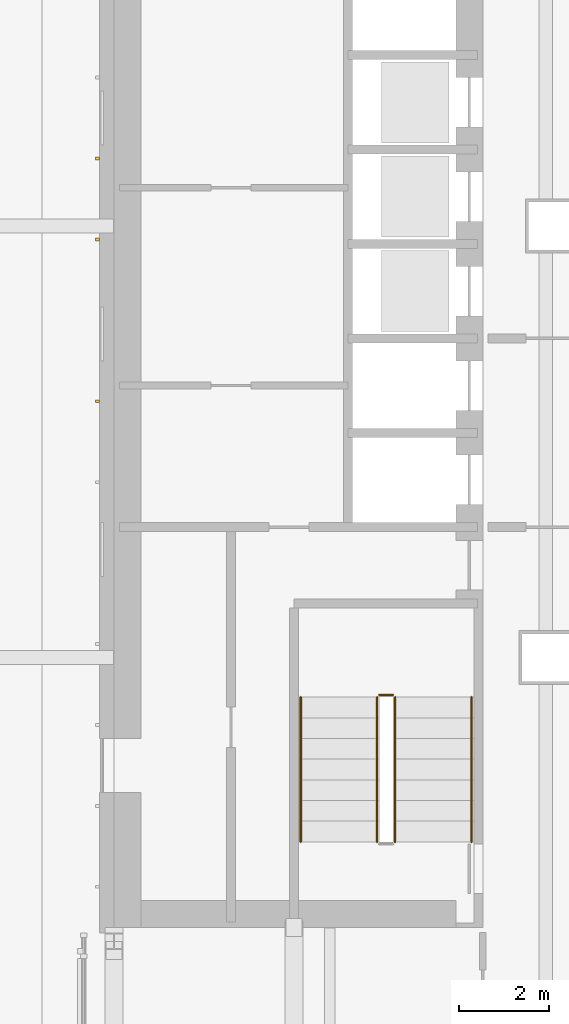
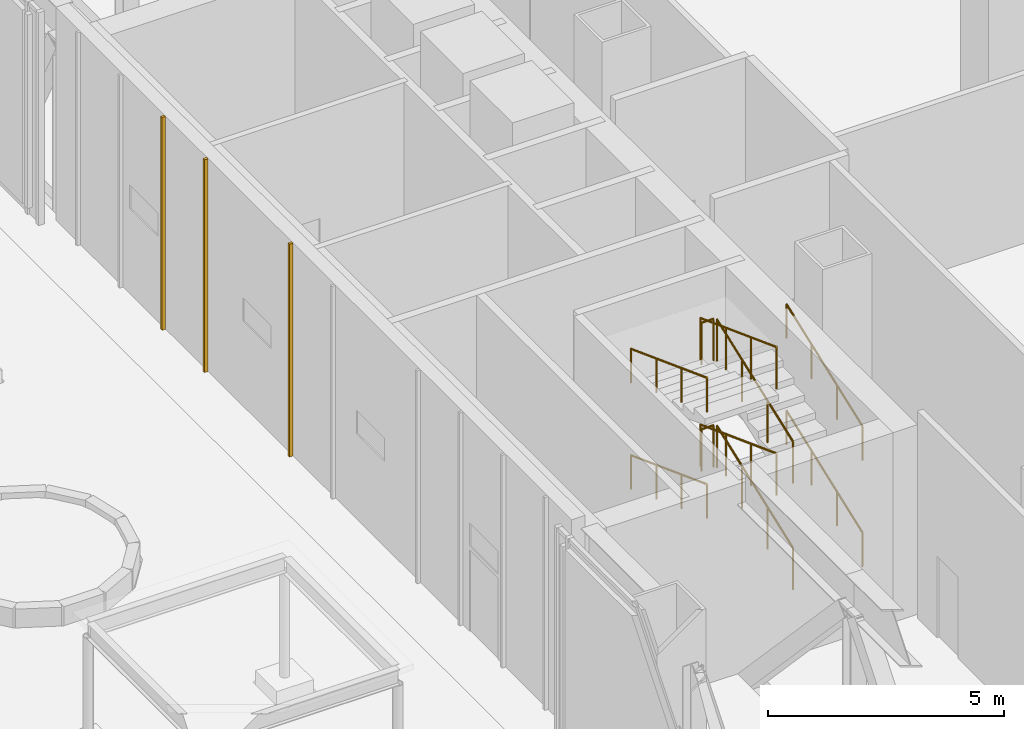
# One storey, part 32 of 39: 10 railings, 3 coverings.
"""IFC4 building model written with IfcOpenShell, lengths in metres."""

import ifcopenshell
import ifcopenshell.guid

model = None  # the IFC model being written
_history = None  # IfcOwnerHistory: only IFC2X3 demands one
_inside = {}  # id of a spatial element -> (the spatial element, [elements in it])
_under = {}  # id of a project, library or spatial element -> (it, [spatial elements below it])
_declared = {}  # id of a project -> (the project, [libraries it declares])
_typed = {}  # id of a type object -> (the type object, [elements of that type])
_made_of = {}  # id of a material, layer set ... -> (it, [elements and type objects made of it])


def new_model(schema):
    """Start an empty IFC model of exactly this schema.

    Asked for "IFC4X3", IfcOpenShell would pick the latest addendum, in which some entities
    have other attributes; the version numbers below select the first issue.
    IFC2X3 requires an IfcOwnerHistory on every rooted entity: one is made here for all.
    """
    global model, _history
    if schema == "IFC4X3":
        model = ifcopenshell.file(schema_version=(4, 3, 0, 0))
    else:
        model = ifcopenshell.file(schema=schema)
    _inside.clear()
    _under.clear()
    _declared.clear()
    _typed.clear()
    _made_of.clear()
    _history = None
    if model.schema == "IFC2X3":
        org = make("IfcOrganization", Name="unknown")
        user = make(
            "IfcPersonAndOrganization",
            ThePerson=make("IfcPerson", FamilyName="unknown"),
            TheOrganization=org,
        )
        app = make(
            "IfcApplication",
            ApplicationDeveloper=org,
            Version="unknown",
            ApplicationFullName="unknown",
            ApplicationIdentifier="unknown",
        )
        _history = make(
            "IfcOwnerHistory",
            OwningUser=user,
            OwningApplication=app,
            ChangeAction="ADDED",
            CreationDate=0,
        )
    return model


def make(cls, **values):
    """One entity of the class cls with the attributes given. An attribute that is None is left unset."""
    return model.create_entity(
        cls, **{name: value for name, value in values.items() if value is not None}
    )


def rooted(cls, **values):
    """An entity with a GlobalId (a new one), such as an element, a storey or a relation."""
    return make(cls, GlobalId=ifcopenshell.guid.new(), OwnerHistory=_history, **values)


def si_unit(unit_type, name, prefix=None):
    """IfcSIUnit, for example si_unit("LENGTHUNIT", "METRE", prefix="MILLI")."""
    return make("IfcSIUnit", UnitType=unit_type, Prefix=prefix, Name=name)


def assignment(units):
    """IfcUnitAssignment: the units of a project."""
    return None if units is None else make("IfcUnitAssignment", Units=units)


def point(xyz):
    """IfcCartesianPoint."""
    return None if xyz is None else make("IfcCartesianPoint", Coordinates=xyz)


def direction(xyz):
    """IfcDirection."""
    return None if xyz is None else make("IfcDirection", DirectionRatios=xyz)


def frame(location, z_axis=None, x_axis=None):
    """IfcAxis2Placement3D, a coordinate frame: its origin and axes. An axis left out is left unset."""
    return make(
        "IfcAxis2Placement3D",
        Location=point(location),
        Axis=direction(z_axis),
        RefDirection=direction(x_axis),
    )


def frame_2d(location, x_axis=None):
    """IfcAxis2Placement2D, a coordinate frame in the plane: its origin and x axis."""
    return make(
        "IfcAxis2Placement2D", Location=point(location), RefDirection=direction(x_axis)
    )


def origin():
    """The frame at (0, 0, 0) with its axes left unset."""
    return frame((0.0, 0.0, 0.0))


def origin_2d():
    """The frame at (0, 0) in the plane with its x axis left unset."""
    return frame_2d((0.0, 0.0))


def place(relative_to, where):
    """IfcLocalPlacement: puts the frame where relative to a parent placement (None: the world)."""
    return make(
        "IfcLocalPlacement", PlacementRelTo=relative_to, RelativePlacement=where
    )


def context(
    kind, dimensions, precision=None, world=None, true_north=None, identifier=None
):
    """IfcGeometricRepresentationContext, for example the 3D "Model" context."""
    return make(
        "IfcGeometricRepresentationContext",
        ContextIdentifier=identifier,
        ContextType=kind,
        CoordinateSpaceDimension=dimensions,
        Precision=precision,
        WorldCoordinateSystem=world,
        TrueNorth=true_north,
    )


def subcontext(parent, identifier, kind, view, scale=None):
    """IfcGeometricRepresentationSubContext, for example "Body" below "Model"."""
    return make(
        "IfcGeometricRepresentationSubContext",
        ContextIdentifier=identifier,
        ContextType=kind,
        ParentContext=parent,
        TargetScale=scale,
        TargetView=view,
    )


def project(units=None, contexts=None):
    """IfcProject with its units and contexts."""
    return rooted(
        "IfcProject",
        Name="project",
        RepresentationContexts=contexts,
        UnitsInContext=assignment(units),
    )


def spatial(cls, under=None, at=None, **own):
    """A site, building, storey or space (cls), placed at a placement, below another one or the project."""
    s = rooted(cls, ObjectPlacement=at, **own)
    if under is not None:
        _under.setdefault(under.id(), (under, []))[1].append(s)
    return s


def profile(cls, at=None, kind="AREA", **sizes):
    """A parametric profile (cls). Its sizes go by their IFC names, for example OverallWidth=200.0."""
    return make(cls, ProfileType=kind, Position=at, **sizes)


def rectangle(**sizes):
    """IfcRectangleProfileDef."""
    return profile("IfcRectangleProfileDef", **sizes)


def circle(**sizes):
    """IfcCircleProfileDef."""
    return profile("IfcCircleProfileDef", **sizes)


def extrude(swept, where, along, depth):
    """IfcExtrudedAreaSolid: the profile swept, set in the frame where, extruded along a direction by depth."""
    return make(
        "IfcExtrudedAreaSolid",
        SweptArea=swept,
        Position=where,
        ExtrudedDirection=direction(along),
        Depth=depth,
    )


def shape(context_of_items, identifier, shape_type, items):
    """IfcShapeRepresentation: the items that make up one representation, for example the "Body"."""
    return make(
        "IfcShapeRepresentation",
        ContextOfItems=context_of_items,
        RepresentationIdentifier=identifier,
        RepresentationType=shape_type,
        Items=items,
    )


def material(Name=None, Category=None):
    """IfcMaterial."""
    return make("IfcMaterial", Name=Name, Category=Category)


def made_of(thing, what):
    """Note that an element or type object is made of a material, layer set ...; save() writes the relation."""
    if what is not None:
        _made_of.setdefault(what.id(), (what, []))[1].append(thing)
    return thing


def type_object(cls, material=None, **own):
    """A type object (cls), such as IfcWallType, which elements share."""
    return made_of(rooted(cls, **own), material)


def element(
    cls,
    number,
    at=None,
    inside=None,
    cuts=None,
    type_object=None,
    material=None,
    context=None,
    identifier="Body",
    shape_type=None,
    held_by="IfcProductDefinitionShape",
    body=None,
    shapes=None,
    **own,
):
    """One element of the class cls, such as IfcWall. Its Tag is "e" and its number.

    at: its placement. inside: the storey or other place that contains it. cuts: it is an
    opening in that element (IfcRelVoidsElement). A single representation is given by context,
    identifier, shape_type and body (its items); several are given by shapes. held_by: the class
    of the entity that holds the representations. save() writes the other relations.
    """
    e = rooted(cls, Tag="e%d" % number, ObjectPlacement=at, **own)
    if body is not None:
        shapes = [shape(context, identifier, shape_type, body)]
    if shapes is not None:
        e.Representation = make(held_by, Representations=shapes)
    if inside is not None:
        _inside.setdefault(inside.id(), (inside, []))[1].append(e)
    if cuts is not None:
        rooted(
            "IfcRelVoidsElement", RelatingBuildingElement=cuts, RelatedOpeningElement=e
        )
    if type_object is not None:
        _typed.setdefault(type_object.id(), (type_object, []))[1].append(e)
    return made_of(e, material)


def aggregate(whole, parts):
    """IfcRelAggregates: a whole, such as a stair, and the parts it consists of."""
    return rooted("IfcRelAggregates", RelatingObject=whole, RelatedObjects=parts)


def save(model, path):
    """Write the relations noted so far, then the file.

    IfcRelAggregates (storeys below a building ...), IfcRelContainedInSpatialStructure (elements
    in a storey), IfcRelDefinesByType, IfcRelAssociatesMaterial and IfcRelDeclares: one each for
    every whole, place, type object, material and project.
    """
    for whole, parts in _under.values():
        aggregate(whole, parts)
    for where, things in _inside.values():
        rooted(
            "IfcRelContainedInSpatialStructure",
            RelatedElements=things,
            RelatingStructure=where,
        )
    for kind, things in _typed.values():
        rooted("IfcRelDefinesByType", RelatedObjects=things, RelatingType=kind)
    for what, things in _made_of.values():
        rooted("IfcRelAssociatesMaterial", RelatedObjects=things, RelatingMaterial=what)
    for by, libraries in _declared.values():
        rooted("IfcRelDeclares", RelatingContext=by, RelatedDefinitions=libraries)
    model.write(path)


model = new_model("IFC4")

# Units and contexts
model_context = context("Model", 3, precision=1e-05, world=origin(), true_north=direction((0.0, 1.0)))
body_context = subcontext(model_context, "Body", "Model", "MODEL_VIEW")
ifc_project = project(units=[si_unit("LENGTHUNIT", "METRE"), si_unit("AREAUNIT", "SQUARE_METRE"), si_unit("VOLUMEUNIT", "CUBIC_METRE"), si_unit("PLANEANGLEUNIT", "RADIAN"), si_unit("MASSUNIT", "GRAM", prefix="KILO")], contexts=[model_context])

# Site, building, storey
site_placement = place(None, origin())
site = spatial("IfcSite", under=ifc_project, at=site_placement, CompositionType="ELEMENT")
building_placement = place(site_placement, origin())
building = spatial("IfcBuilding", under=site, at=building_placement, Name="Cobrizo Arcos Hotel Tower", CompositionType="ELEMENT")
storey_placement = place(building_placement, frame((0.0, 0.0, 33.5)))
storey = spatial("IfcBuildingStorey", under=building, at=storey_placement, Name="L06", CompositionType="ELEMENT", Elevation=33.5)

# Coverings
ifc_material_1 = material(Name="Aluminium 6063-T6 anodised pale", Category="aluminium")
covering_type = type_object("IfcCoveringType", Name="RS-1 rainscreen rib 60x90", PredefinedType="CLADDING", material=ifc_material_1)
for number, where, z_axis, x_axis, name in (
    (1, (-24.3701171875, 6.300048828125, 0.0), (0.0, 0.0, 1.0), (0.0, -1.0, 0.0), "Rainscreen rib 13"),
    (2, (-24.3701171875, 4.5, 0.0), (0.0, 0.0, 1.0), (0.0, -1.0, 0.0), "Rainscreen rib 14"),
    (3, (-24.3701171875, 0.89990234375, 0.0), (0.0, 0.0, 1.0), (0.0, -1.0, 0.0), "Rainscreen rib 15"),
):
    element("IfcCovering", number, at=place(storey_placement, frame(where, z_axis=z_axis, x_axis=x_axis)), inside=storey, type_object=covering_type, Name=name, PredefinedType="CLADDING", context=body_context, shape_type="SweptSolid", body=[
        extrude(rectangle(XDim=0.06005859375, YDim=0.090087890625, at=origin_2d()), origin(), (0.0, 0.0, 1.0), 5.5),
    ])

# Railings
ifc_material_2 = material(Name="Stainless steel railing", Category="steel")
railing_type_1 = type_object("IfcRailingType", Name="Stair guard 1100", PredefinedType="GUARDRAIL", material=ifc_material_2)
railing_1_placement = place(storey_placement, frame((-17.75, -8.89990234375, 0.171875)))
element("IfcRailing", 4, at=railing_1_placement, inside=storey, type_object=railing_type_1, Name="L06 ST-W stair guard 1", PredefinedType="GUARDRAIL", context=body_context, shape_type="SweptSolid", body=[
    extrude(circle(Radius=0.02392578125, at=origin_2d()), frame((0.0, 0.0, 1.076171875), z_axis=(0.0, 0.936745908249, 0.350010147536), x_axis=(-1.0, 0.0, 0.0)), (0.0, 0.0, 1.0), 3.4375),
    extrude(circle(Radius=0.02099609375, at=origin_2d()), origin(), (0.0, 0.0, 1.0), 1.052001953125),
    extrude(circle(Radius=0.02099609375, at=origin_2d()), frame((0.0, 1.0732421875, 0.401123046875)), (0.0, 0.0, 1.0), 1.052001953125),
    extrude(circle(Radius=0.02099609375, at=origin_2d()), frame((0.0, 2.146728515625, 0.802001953125)), (0.0, 0.0, 1.0), 1.052001953125),
    extrude(circle(Radius=0.02099609375, at=origin_2d()), frame((0.0, 3.219970703125, 1.203125)), (0.0, 0.0, 1.0), 1.052001953125),
])
railing_2_placement = place(storey_placement, frame((-17.800048828125, -5.6298828125, 1.375)))
element("IfcRailing", 5, at=railing_2_placement, inside=storey, type_object=railing_type_1, Name="L06 ST-W stair guard 2", PredefinedType="GUARDRAIL", context=body_context, shape_type="SweptSolid", body=[
    extrude(circle(Radius=0.02392578125, at=origin_2d()), frame((0.0, 0.0, 1.076171875), z_axis=(-1.0, 0.0, 0.0), x_axis=(0.0, -1.0, 0.0)), (0.0, 0.0, 1.0), 0.300048828125),
    extrude(circle(Radius=0.02099609375, at=origin_2d()), origin(), (0.0, 0.0, 1.0), 1.052001953125),
    extrude(circle(Radius=0.02099609375, at=origin_2d()), frame((-0.300048828125, 0.0, 0.0)), (0.0, 0.0, 1.0), 1.052001953125),
])
railing_3_placement = place(storey_placement, frame((-18.14990234375, -5.679931640625, 1.546875)))
element("IfcRailing", 6, at=railing_3_placement, inside=storey, type_object=railing_type_1, Name="L06 ST-W stair guard 3", PredefinedType="GUARDRAIL", context=body_context, shape_type="SweptSolid", body=[
    extrude(circle(Radius=0.02392578125, at=origin_2d()), frame((0.0, 0.0, 1.076171875), z_axis=(0.0, -0.936745908249, 0.350010147536), x_axis=(1.0, 0.0, 0.0)), (0.0, 0.0, 1.0), 3.4375),
    extrude(circle(Radius=0.02099609375, at=origin_2d()), origin(), (0.0, 0.0, 1.0), 1.052001953125),
    extrude(circle(Radius=0.02099609375, at=origin_2d()), frame((0.0, -1.0732421875, 0.401123046875)), (0.0, 0.0, 1.0), 1.052001953125),
    extrude(circle(Radius=0.02099609375, at=origin_2d()), frame((0.0, -2.146728515625, 0.802001953125)), (0.0, 0.0, 1.0), 1.052001953125),
    extrude(circle(Radius=0.02099609375, at=origin_2d()), frame((0.0, -3.219970703125, 1.203125)), (0.0, 0.0, 1.0), 1.052001953125),
])
railing_4_placement = place(storey_placement, frame((-17.75, -8.89990234375, 2.921875)))
element("IfcRailing", 7, at=railing_4_placement, inside=storey, type_object=railing_type_1, Name="L06 ST-W stair guard 5", PredefinedType="GUARDRAIL", context=body_context, shape_type="SweptSolid", body=[
    extrude(circle(Radius=0.02392578125, at=origin_2d()), frame((0.0, 0.0, 1.076171875), z_axis=(0.0, 0.936745908249, 0.350010147536), x_axis=(-1.0, 0.0, 0.0)), (0.0, 0.0, 1.0), 3.4375),
    extrude(circle(Radius=0.02099609375, at=origin_2d()), origin(), (0.0, 0.0, 1.0), 1.052001953125),
    extrude(circle(Radius=0.02099609375, at=origin_2d()), frame((0.0, 1.0732421875, 0.401123046875)), (0.0, 0.0, 1.0), 1.052001953125),
    extrude(circle(Radius=0.02099609375, at=origin_2d()), frame((0.0, 2.146728515625, 0.802001953125)), (0.0, 0.0, 1.0), 1.052001953125),
    extrude(circle(Radius=0.02099609375, at=origin_2d()), frame((0.0, 3.219970703125, 1.203125)), (0.0, 0.0, 1.0), 1.052001953125),
])
railing_5_placement = place(storey_placement, frame((-17.800048828125, -5.6298828125, 4.125)))
element("IfcRailing", 8, at=railing_5_placement, inside=storey, type_object=railing_type_1, Name="L06 ST-W stair guard 6", PredefinedType="GUARDRAIL", context=body_context, shape_type="SweptSolid", body=[
    extrude(circle(Radius=0.02392578125, at=origin_2d()), frame((0.0, 0.0, 1.076171875), z_axis=(-1.0, 0.0, 0.0), x_axis=(0.0, -1.0, 0.0)), (0.0, 0.0, 1.0), 0.300048828125),
    extrude(circle(Radius=0.02099609375, at=origin_2d()), origin(), (0.0, 0.0, 1.0), 1.052001953125),
    extrude(circle(Radius=0.02099609375, at=origin_2d()), frame((-0.300048828125, 0.0, 0.0)), (0.0, 0.0, 1.0), 1.052001953125),
])
railing_6_placement = place(storey_placement, frame((-18.14990234375, -5.679931640625, 4.296875)))
element("IfcRailing", 9, at=railing_6_placement, inside=storey, type_object=railing_type_1, Name="L06 ST-W stair guard 7", PredefinedType="GUARDRAIL", context=body_context, shape_type="SweptSolid", body=[
    extrude(circle(Radius=0.02392578125, at=origin_2d()), frame((0.0, 0.0, 1.076171875), z_axis=(0.0, -0.936745908249, 0.350010147536), x_axis=(1.0, 0.0, 0.0)), (0.0, 0.0, 1.0), 3.4375),
    extrude(circle(Radius=0.02099609375, at=origin_2d()), origin(), (0.0, 0.0, 1.0), 1.052001953125),
    extrude(circle(Radius=0.02099609375, at=origin_2d()), frame((0.0, -1.0732421875, 0.401123046875)), (0.0, 0.0, 1.0), 1.052001953125),
    extrude(circle(Radius=0.02099609375, at=origin_2d()), frame((0.0, -2.146728515625, 0.802001953125)), (0.0, 0.0, 1.0), 1.052001953125),
    extrude(circle(Radius=0.02099609375, at=origin_2d()), frame((0.0, -3.219970703125, 1.203125)), (0.0, 0.0, 1.0), 1.052001953125),
])
railing_type_2 = type_object("IfcRailingType", Name="Stair handrail", PredefinedType="HANDRAIL", material=ifc_material_2)
railing_7_placement = place(storey_placement, frame((-16.050048828125, -8.89990234375, 0.171875)))
element("IfcRailing", 10, at=railing_7_placement, inside=storey, type_object=railing_type_2, Name="L06 ST-W stair handrail 1", PredefinedType="HANDRAIL", context=body_context, shape_type="SweptSolid", body=[
    extrude(circle(Radius=0.02392578125, at=origin_2d()), frame((0.0, 0.0, 0.8759765625), z_axis=(0.0, 0.936745908249, 0.350010147536), x_axis=(-1.0, 0.0, 0.0)), (0.0, 0.0, 1.0), 3.4375),
    extrude(circle(Radius=0.02099609375, at=origin_2d()), origin(), (0.0, 0.0, 1.0), 0.851806640625),
    extrude(circle(Radius=0.02099609375, at=origin_2d()), frame((0.0, 1.0732421875, 0.401123046875)), (0.0, 0.0, 1.0), 0.851806640625),
    extrude(circle(Radius=0.02099609375, at=origin_2d()), frame((0.0, 2.146728515625, 0.802001953125)), (0.0, 0.0, 1.0), 0.851806640625),
    extrude(circle(Radius=0.02099609375, at=origin_2d()), frame((0.0, 3.219970703125, 1.203125)), (0.0, 0.0, 1.0), 0.851806640625),
])
railing_8_placement = place(storey_placement, frame((-19.85009765625, -5.679931640625, 1.546875)))
element("IfcRailing", 11, at=railing_8_placement, inside=storey, type_object=railing_type_2, Name="L06 ST-W stair handrail 2", PredefinedType="HANDRAIL", context=body_context, shape_type="SweptSolid", body=[
    extrude(circle(Radius=0.02392578125, at=origin_2d()), frame((0.0, 0.0, 0.8759765625), z_axis=(0.0, -0.936745908249, 0.350010147536), x_axis=(1.0, 0.0, 0.0)), (0.0, 0.0, 1.0), 3.4375),
    extrude(circle(Radius=0.02099609375, at=origin_2d()), origin(), (0.0, 0.0, 1.0), 0.851806640625),
    extrude(circle(Radius=0.02099609375, at=origin_2d()), frame((0.0, -1.0732421875, 0.401123046875)), (0.0, 0.0, 1.0), 0.851806640625),
    extrude(circle(Radius=0.02099609375, at=origin_2d()), frame((0.0, -2.146728515625, 0.802001953125)), (0.0, 0.0, 1.0), 0.851806640625),
    extrude(circle(Radius=0.02099609375, at=origin_2d()), frame((0.0, -3.219970703125, 1.203125)), (0.0, 0.0, 1.0), 0.851806640625),
])
railing_9_placement = place(storey_placement, frame((-16.050048828125, -8.89990234375, 2.921875)))
element("IfcRailing", 12, at=railing_9_placement, inside=storey, type_object=railing_type_2, Name="L06 ST-W stair handrail 3", PredefinedType="HANDRAIL", context=body_context, shape_type="SweptSolid", body=[
    extrude(circle(Radius=0.02392578125, at=origin_2d()), frame((0.0, 0.0, 0.8759765625), z_axis=(0.0, 0.936745908249, 0.350010147536), x_axis=(-1.0, 0.0, 0.0)), (0.0, 0.0, 1.0), 3.4375),
    extrude(circle(Radius=0.02099609375, at=origin_2d()), origin(), (0.0, 0.0, 1.0), 0.851806640625),
    extrude(circle(Radius=0.02099609375, at=origin_2d()), frame((0.0, 1.0732421875, 0.401123046875)), (0.0, 0.0, 1.0), 0.851806640625),
    extrude(circle(Radius=0.02099609375, at=origin_2d()), frame((0.0, 2.146728515625, 0.802001953125)), (0.0, 0.0, 1.0), 0.851806640625),
    extrude(circle(Radius=0.02099609375, at=origin_2d()), frame((0.0, 3.219970703125, 1.203125)), (0.0, 0.0, 1.0), 0.851806640625),
])
railing_10_placement = place(storey_placement, frame((-19.85009765625, -5.679931640625, 4.296875)))
element("IfcRailing", 13, at=railing_10_placement, inside=storey, type_object=railing_type_2, Name="L06 ST-W stair handrail 4", PredefinedType="HANDRAIL", context=body_context, shape_type="SweptSolid", body=[
    extrude(circle(Radius=0.02392578125, at=origin_2d()), frame((0.0, 0.0, 0.8759765625), z_axis=(0.0, -0.936745908249, 0.350010147536), x_axis=(1.0, 0.0, 0.0)), (0.0, 0.0, 1.0), 3.4375),
    extrude(circle(Radius=0.02099609375, at=origin_2d()), origin(), (0.0, 0.0, 1.0), 0.851806640625),
    extrude(circle(Radius=0.02099609375, at=origin_2d()), frame((0.0, -1.0732421875, 0.401123046875)), (0.0, 0.0, 1.0), 0.851806640625),
    extrude(circle(Radius=0.02099609375, at=origin_2d()), frame((0.0, -2.146728515625, 0.802001953125)), (0.0, 0.0, 1.0), 0.851806640625),
    extrude(circle(Radius=0.02099609375, at=origin_2d()), frame((0.0, -3.219970703125, 1.203125)), (0.0, 0.0, 1.0), 0.851806640625),
])

save(model, "model.ifc")
